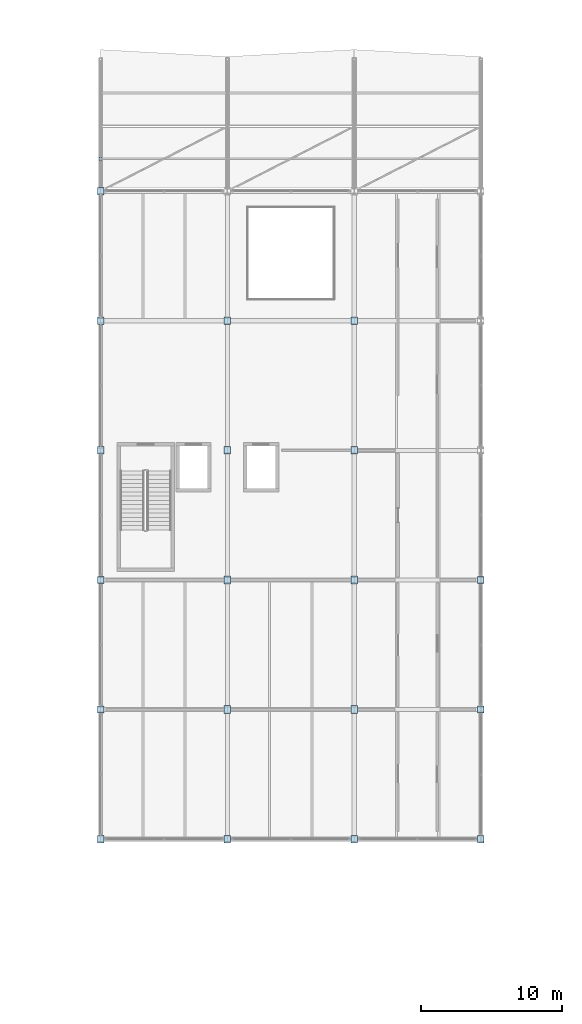
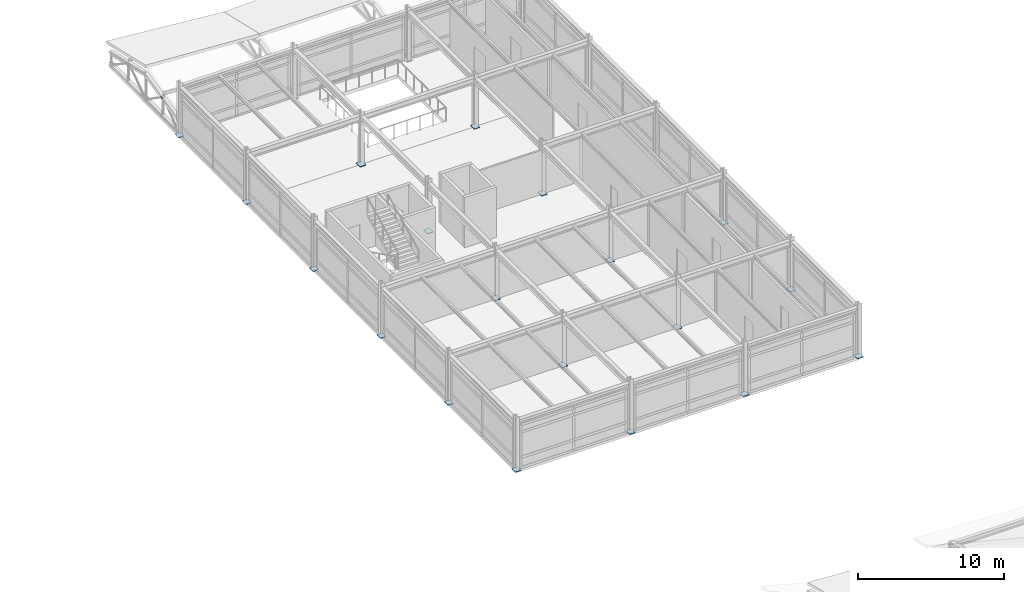
# One storey, part 36 of 55: 20 plates.
"""IFC4 building model written with IfcOpenShell, lengths in metres."""

from ifc_helpers import new_model, si_unit, direction, frame, origin, origin_2d, place, context, subcontext, project, spatial, rectangle, extrude, material, layer, layer_set, type_object, element, save


model = new_model("IFC4")

# Units and contexts
model_context = context("Model", 3, precision=1e-05, world=origin(), true_north=direction((0.0, 1.0)))
body_context = subcontext(model_context, "Body", "Model", "MODEL_VIEW")
ifc_project = project(units=[si_unit("LENGTHUNIT", "METRE"), si_unit("AREAUNIT", "SQUARE_METRE"), si_unit("VOLUMEUNIT", "CUBIC_METRE"), si_unit("PLANEANGLEUNIT", "RADIAN"), si_unit("MASSUNIT", "GRAM", prefix="KILO")], contexts=[model_context])

# Site, building, storey
site_placement = place(None, origin())
site = spatial("IfcSite", under=ifc_project, at=site_placement, CompositionType="ELEMENT")
building_placement = place(site_placement, origin())
building = spatial("IfcBuilding", under=site, at=building_placement, Name="Bozkorgan Art Gallery", CompositionType="ELEMENT")
storey_placement = place(building_placement, frame((0.0, 0.0, 15.0)))
storey = spatial("IfcBuildingStorey", under=building, at=storey_placement, Name="L03", CompositionType="ELEMENT", Elevation=15.0)

# Plates
ifc_material = material(Name="Steel S355J2", Category="steel")
ifc_layer_1 = layer(ifc_material, 0.031982421875, Name="Steel S355J2")
ifc_layer_set_1 = layer_set([ifc_layer_1], Name="Steel S355J2")
plate_type_1 = type_object("IfcPlateType", Name="PLATE-BP-19", PredefinedType="USERDEFINED", material=ifc_layer_set_1)
for number, where, z_axis, x_axis, name in (
    (1, (83.0, 47.60009765625, 0.0), (0.0, 0.0, 1.0), (1.0, 0.0, 0.0), "COL-V4-L03-83-48 base plate"),
    (2, (83.0, 56.800048828125, 0.0), (0.0, 0.0, 1.0), (1.0, 0.0, 0.0), "COL-V4-L03-83-57 base plate"),
    (3, (83.0, 66.0, 0.0), (0.0, 0.0, 1.0), (1.0, 0.0, 0.0), "COL-V4-L03-83-66 base plate"),
    (4, (83.0, 75.199951171875, 0.0), (0.0, 0.0, 1.0), (1.0, 0.0, 0.0), "COL-V4-L03-83-75 base plate"),
    (5, (92.0, 47.60009765625, 0.0), (0.0, 0.0, 1.0), (1.0, 0.0, 0.0), "COL-V4-L03-92-48 base plate"),
    (6, (92.0, 56.800048828125, 0.0), (0.0, 0.0, 1.0), (1.0, 0.0, 0.0), "COL-V4-L03-92-57 base plate"),
    (7, (92.0, 66.0, 0.0), (0.0, 0.0, 1.0), (1.0, 0.0, 0.0), "COL-V4-L03-92-66 base plate"),
    (8, (92.0, 75.199951171875, 0.0), (0.0, 0.0, 1.0), (1.0, 0.0, 0.0), "COL-V4-L03-92-75 base plate"),
):
    element("IfcPlate", number, at=place(storey_placement, frame(where, z_axis=z_axis, x_axis=x_axis)), inside=storey, type_object=plate_type_1, Name=name, ObjectType="END CAP PLATE", PredefinedType="USERDEFINED", context=body_context, shape_type="SweptSolid", body=[
        extrude(rectangle(XDim=0.4599609375, YDim=0.550048828125, at=origin_2d()), origin(), (0.0, 0.0, 1.0), 0.031982421875),
    ])
ifc_layer_2 = layer(ifc_material, 0.031982421875, Name="Steel S355J2")
ifc_layer_set_2 = layer_set([ifc_layer_2], Name="Steel S355J2")
plate_type_2 = type_object("IfcPlateType", Name="PLATE-BP-73", PredefinedType="USERDEFINED", material=ifc_layer_set_2)
for number, where, z_axis, x_axis, name in (
    (9, (74.0, 38.39990234375, 0.0), (0.0, 0.0, 1.0), (1.0, 0.0, 0.0), "COL-V4-L03-74-38 base plate"),
    (10, (74.0, 47.60009765625, 0.0), (0.0, 0.0, 1.0), (1.0, 0.0, 0.0), "COL-V4-L03-74-48 base plate"),
    (11, (74.0, 56.800048828125, 0.0), (0.0, 0.0, 1.0), (1.0, 0.0, 0.0), "COL-V4-L03-74-57 base plate"),
    (12, (74.0, 66.0, 0.0), (0.0, 0.0, 1.0), (1.0, 0.0, 0.0), "COL-V4-L03-74-66 base plate"),
    (13, (74.0, 75.199951171875, 0.0), (0.0, 0.0, 1.0), (1.0, 0.0, 0.0), "COL-V4-L03-74-75 base plate"),
    (14, (74.0, 84.39990234375, 0.0), (0.0, 0.0, 1.0), (1.0, 0.0, 0.0), "COL-V4-L03-74-84 base plate"),
    (15, (83.0, 38.39990234375, 0.0), (0.0, 0.0, 1.0), (1.0, 0.0, 0.0), "COL-V4-L03-83-38 base plate"),
    (16, (92.0, 38.39990234375, 0.0), (0.0, 0.0, 1.0), (1.0, 0.0, 0.0), "COL-V4-L03-92-38 base plate"),
    (17, (101.0, 38.39990234375, 0.0), (0.0, 0.0, 1.0), (1.0, 0.0, 0.0), "COL-V4-L03-101-38 base plate"),
    (18, (101.0, 47.60009765625, 0.0), (0.0, 0.0, 1.0), (1.0, 0.0, 0.0), "COL-V4-L03-101-48 base plate"),
    (19, (101.0, 56.800048828125, 0.0), (0.0, 0.0, 1.0), (1.0, 0.0, 0.0), "COL-V4-L03-101-57 base plate"),
):
    element("IfcPlate", number, at=place(storey_placement, frame(where, z_axis=z_axis, x_axis=x_axis)), inside=storey, type_object=plate_type_2, Name=name, ObjectType="END CAP PLATE", PredefinedType="USERDEFINED", context=body_context, shape_type="SweptSolid", body=[
        extrude(rectangle(XDim=0.4599609375, YDim=0.52001953125, at=origin_2d()), origin(), (0.0, 0.0, 1.0), 0.031982421875),
    ])
ifc_layer_3 = layer(ifc_material, 0.01611328125, Name="Steel S355J2")
ifc_layer_set_3 = layer_set([ifc_layer_3], Name="Steel S355J2")
plate_type_3 = type_object("IfcPlateType", Name="PLATE-EC-05", PredefinedType="USERDEFINED", material=ifc_layer_set_3)
plate_placement = place(storey_placement, frame((74.0, 86.699951171875, 1.79833984375), z_axis=(0.0, 0.0, 1.0), x_axis=(1.0, 0.0, 0.0)))
element("IfcPlate", 20, at=plate_placement, inside=storey, type_object=plate_type_3, Name="Truss V4 post cap 1.1", ObjectType="END CAP PLATE", PredefinedType="USERDEFINED", context=body_context, shape_type="SweptSolid", body=[
    extrude(rectangle(XDim=0.22998046875, YDim=0.22998046875, at=origin_2d()), origin(), (0.0, 0.0, 1.0), 0.01611328125),
])

save(model, "model.ifc")
